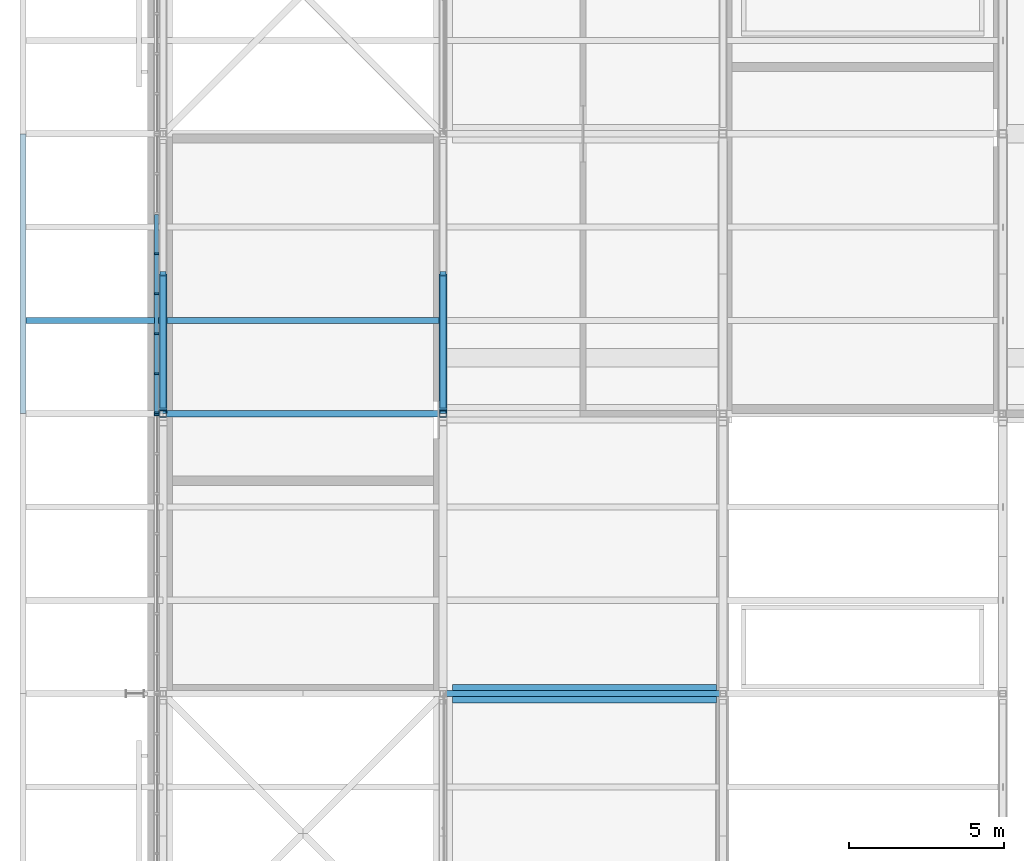
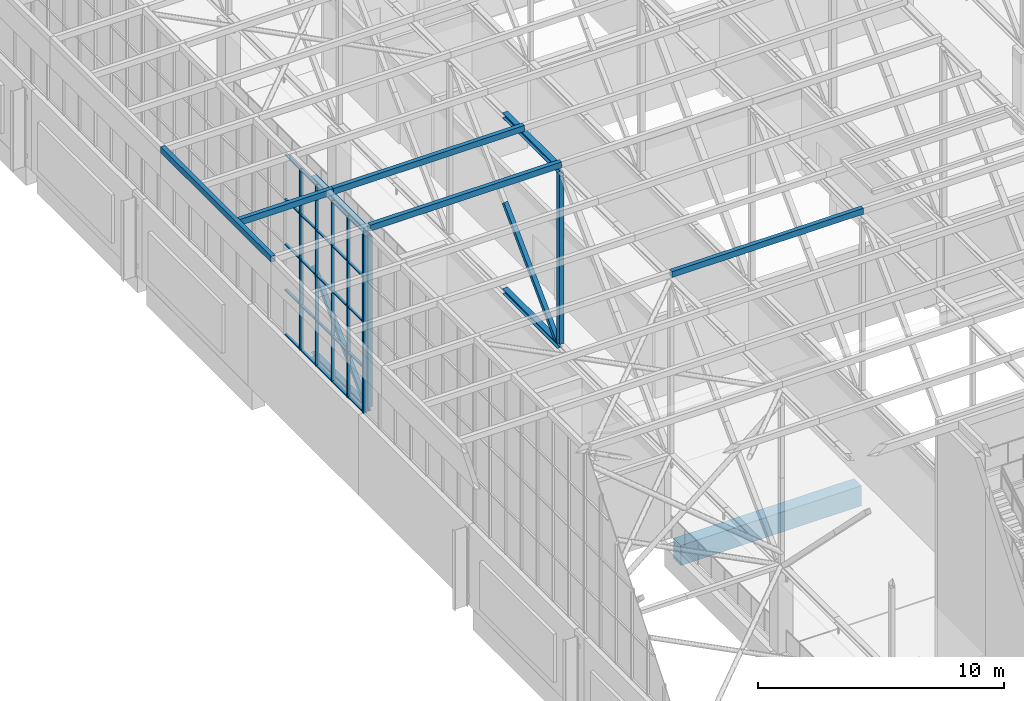
# One storey, part 54 of 646: 46 members, 1 beam, 2 elements without a shape of their own.
"""IFC4 building model written with IfcOpenShell, lengths in metres."""

from ifc_helpers import new_model, si_unit, direction, frame, origin, origin_2d, place, context, subcontext, project, spatial, rectangle, hollow_rectangle, i_section, extrude, material, material_profile, profile_set, type_object, element, aggregate, save


model = new_model("IFC4")

# Units and contexts
model_context = context("Model", 3, precision=1e-05, world=origin(), true_north=direction((0.0, 1.0)))
body_context = subcontext(model_context, "Body", "Model", "MODEL_VIEW")
ifc_project = project(units=[si_unit("LENGTHUNIT", "METRE"), si_unit("AREAUNIT", "SQUARE_METRE"), si_unit("VOLUMEUNIT", "CUBIC_METRE"), si_unit("PLANEANGLEUNIT", "RADIAN"), si_unit("MASSUNIT", "GRAM", prefix="KILO")], contexts=[model_context])

# Site, building, storey
site_placement = place(None, origin())
site = spatial("IfcSite", under=ifc_project, at=site_placement, CompositionType="ELEMENT")
building_placement = place(site_placement, origin())
building = spatial("IfcBuilding", under=site, at=building_placement, Name="Silverbay Arena", CompositionType="ELEMENT")
storey_placement = place(building_placement, frame((0.0, 0.0, 33.5)))
storey = spatial("IfcBuildingStorey", under=building, at=storey_placement, Name="L05", CompositionType="ELEMENT", Elevation=33.5)

# Curtain wall, member
ifc_material_1 = material(Name="Aluminium framed glazing", Category="aluminium")
curtain_wall_type = type_object("IfcCurtainWallType", Name="Curtain wall clerestory 9000 x 9000", PredefinedType="NOTDEFINED", material=ifc_material_1)
curtain_wall_1_placement = place(storey_placement, origin())
curtain_wall_1 = element("IfcCurtainWall", 1, at=curtain_wall_1_placement, inside=storey, type_object=curtain_wall_type, Name="ROOF GABLE CLERESTORY CURTAIN WALL west bay 10", PredefinedType="NOTDEFINED")
ifc_material_2 = material(Name="Aluminium", Category="aluminium")
ifc_material_profile_1 = material_profile(ifc_material_2, rectangle(XDim=0.159912109375, YDim=0.06005859375, at=origin_2d()), Name="Mullion 60 x 160")
ifc_profile_set_1 = profile_set([ifc_material_profile_1], Name="Aluminium")
member_type_1 = type_object("IfcMemberType", Name="Mullion 60 x 160", PredefinedType="MULLION", material=ifc_profile_set_1)
member_1_placement = place(storey_placement, frame((53.7900390625, 98.969970703125, 4.0), z_axis=(0.0, 0.0, 1.0), x_axis=(-1.0, 0.0, 0.0)))
member_1 = element("IfcMember", 2, at=member_1_placement, type_object=member_type_1, Name="CW60 mullion 8", PredefinedType="MULLION", context=body_context, shape_type="SweptSolid", body=[
    extrude(rectangle(XDim=0.159912109375, YDim=0.06005859375, at=origin_2d()), origin(), (0.0, 0.0, 1.0), 9.0),
])
aggregate(curtain_wall_1, [member_1])

# Curtain wall, members
curtain_wall_2_placement = place(storey_placement, origin())
curtain_wall_2 = element("IfcCurtainWall", 3, at=curtain_wall_2_placement, inside=storey, type_object=curtain_wall_type, Name="ROOF GABLE CLERESTORY CURTAIN WALL west bay 11", PredefinedType="NOTDEFINED")
member_2_placement = place(storey_placement, frame((53.7900390625, 99.030029296875, 4.0), z_axis=(0.0, 0.0, 1.0), x_axis=(-1.0, 0.0, 0.0)))
member_2 = element("IfcMember", 4, at=member_2_placement, type_object=member_type_1, Name="CW60 mullion 1", PredefinedType="MULLION", context=body_context, shape_type="SweptSolid", body=[
    extrude(rectangle(XDim=0.159912109375, YDim=0.06005859375, at=origin_2d()), origin(), (0.0, 0.0, 1.0), 9.0),
])
member_3_placement = place(storey_placement, frame((53.7900390625, 100.28564453125, 4.0), z_axis=(0.0, 0.0, 1.0), x_axis=(-1.0, 0.0, 0.0)))
member_3 = element("IfcMember", 5, at=member_3_placement, type_object=member_type_1, Name="CW60 mullion 2", PredefinedType="MULLION", context=body_context, shape_type="SweptSolid", body=[
    extrude(rectangle(XDim=0.159912109375, YDim=0.06005859375, at=origin_2d()), origin(), (0.0, 0.0, 1.0), 9.0),
])
member_4_placement = place(storey_placement, frame((53.7900390625, 101.571533203125, 4.0), z_axis=(0.0, 0.0, 1.0), x_axis=(-1.0, 0.0, 0.0)))
member_4 = element("IfcMember", 6, at=member_4_placement, type_object=member_type_1, Name="CW60 mullion 3", PredefinedType="MULLION", context=body_context, shape_type="SweptSolid", body=[
    extrude(rectangle(XDim=0.159912109375, YDim=0.06005859375, at=origin_2d()), origin(), (0.0, 0.0, 1.0), 9.0),
])
member_5_placement = place(storey_placement, frame((53.7900390625, 102.857177734375, 4.0), z_axis=(0.0, 0.0, 1.0), x_axis=(-1.0, 0.0, 0.0)))
member_5 = element("IfcMember", 7, at=member_5_placement, type_object=member_type_1, Name="CW60 mullion 4", PredefinedType="MULLION", context=body_context, shape_type="SweptSolid", body=[
    extrude(rectangle(XDim=0.159912109375, YDim=0.06005859375, at=origin_2d()), origin(), (0.0, 0.0, 1.0), 9.0),
])
member_6_placement = place(storey_placement, frame((53.7900390625, 104.142822265625, 4.0), z_axis=(0.0, 0.0, 1.0), x_axis=(-1.0, 0.0, 0.0)))
member_6 = element("IfcMember", 8, at=member_6_placement, type_object=member_type_1, Name="CW60 mullion 5", PredefinedType="MULLION", context=body_context, shape_type="SweptSolid", body=[
    extrude(rectangle(XDim=0.159912109375, YDim=0.06005859375, at=origin_2d()), origin(), (0.0, 0.0, 1.0), 9.0),
])

# Members
ifc_material_3 = material(Name="Steel S355", Category="steel")
ifc_material_profile_2 = material_profile(ifc_material_3, hollow_rectangle(XDim=0.199951171875, YDim=0.300048828125, WallThickness=0.00634765625, at=origin_2d()), Name="RHS 300x200x6.3")
ifc_profile_set_2 = profile_set([ifc_material_profile_2], Name="Steel S355")
member_type_2 = type_object("IfcMemberType", Name="Purlin RHS 300x200x6.3", PredefinedType="PURLIN", material=ifc_profile_set_2)
member_7_placement = place(storey_placement, frame((63.0, 90.0, 13.14990234375), z_axis=(1.0, 0.0, 0.0), x_axis=(0.0, 1.0, 0.0)))
element("IfcMember", 9, at=member_7_placement, inside=storey, type_object=member_type_2, Name="ROOF PURLIN 8-9 line 28", PredefinedType="PURLIN", context=body_context, shape_type="SweptSolid", body=[
    extrude(hollow_rectangle(XDim=0.199951171875, YDim=0.300048828125, WallThickness=0.00634765625, at=origin_2d()), origin(), (0.0, 0.0, 1.0), 9.0),
])
ifc_material_4 = material(Name="Steel S355", Category="steel")
ifc_material_profile_3 = material_profile(ifc_material_4, hollow_rectangle(XDim=0.199951171875, YDim=0.300048828125, WallThickness=0.008056640625, at=origin_2d()), Name="RHS 300x200x8")
ifc_profile_set_3 = profile_set([ifc_material_profile_3], Name="Steel S355")
member_type_3 = type_object("IfcMemberType", Name="Purlin RHS 300x200x8", PredefinedType="PURLIN", material=ifc_profile_set_3)
for number, where, z_axis, x_axis, name in (
    (10, (54.0, 99.0, 13.14990234375), (1.0, 0.0, 0.0), (0.0, 1.0, 0.0), "ROOF PURLIN 7-8 line 31"),
    (11, (54.0, 102.0, 13.14990234375), (1.0, 0.0, 0.0), (0.0, 1.0, 0.0), "ROOF PURLIN 7-8 line 32"),
):
    element("IfcMember", number, at=place(storey_placement, frame(where, z_axis=z_axis, x_axis=x_axis)), inside=storey, type_object=member_type_3, Name=name, PredefinedType="PURLIN", context=body_context, shape_type="SweptSolid", body=[
        extrude(hollow_rectangle(XDim=0.199951171875, YDim=0.300048828125, WallThickness=0.008056640625, at=origin_2d()), origin(), (0.0, 0.0, 1.0), 9.0),
    ])
member_8_placement = place(storey_placement, frame((49.60009765625, 102.0, 13.14990234375), z_axis=(1.0, 0.0, 0.0), x_axis=(0.0, 1.0, 0.0)))
element("IfcMember", 12, at=member_8_placement, inside=storey, type_object=member_type_3, Name="ROOF PURLIN west eave line 32", PredefinedType="PURLIN", context=body_context, shape_type="SweptSolid", body=[
    extrude(hollow_rectangle(XDim=0.199951171875, YDim=0.300048828125, WallThickness=0.008056640625, at=origin_2d()), origin(), (0.0, 0.0, 1.0), 4.39990234375),
])
member_9_placement = place(storey_placement, frame((49.5, 99.0, 13.14990234375), z_axis=(0.0, 1.0, 0.0), x_axis=(-1.0, 0.0, 0.0)))
element("IfcMember", 13, at=member_9_placement, inside=storey, type_object=member_type_3, Name="ROOF PURLIN west eave edge 11", PredefinedType="PURLIN", context=body_context, shape_type="SweptSolid", body=[
    extrude(hollow_rectangle(XDim=0.199951171875, YDim=0.300048828125, WallThickness=0.008056640625, at=origin_2d()), origin(), (0.0, 0.0, 1.0), 9.0),
])

# Beam
ifc_material_5 = material(Name="Concrete Grade C45", Category="concrete")
ifc_material_profile_4 = material_profile(ifc_material_5, rectangle(XDim=0.60009765625, YDim=1.0, at=origin_2d()), Name="RC 600x1000")
ifc_profile_set_4 = profile_set([ifc_material_profile_4], Name="Concrete Grade C45")
beam_type = type_object("IfcBeamType", Name="RC beam 600x1000", PredefinedType="BEAM", material=ifc_profile_set_4)
beam_placement = place(storey_placement, frame((63.300048828125, 90.0, -0.800048828125), z_axis=(1.0, 0.0, 0.0), x_axis=(0.0, 1.0, 0.0)))
element("IfcBeam", 14, at=beam_placement, inside=storey, type_object=beam_type, Name="Floor beam L05 037", PredefinedType="BEAM", context=body_context, shape_type="SweptSolid", body=[
    extrude(rectangle(XDim=0.60009765625, YDim=1.0, at=origin_2d()), origin(), (0.0, 0.0, 1.0), 8.5),
])

# Members
ifc_material_6 = material(Name="Steel S355", Category="steel")
ifc_material_profile_5 = material_profile(ifc_material_6, i_section(OverallWidth=0.254638671875, OverallDepth=0.254150390625, WebThickness=0.008544921875, FlangeThickness=0.01416015625, at=origin_2d()), Name="UC 254x254x73")
ifc_profile_set_5 = profile_set([ifc_material_profile_5], Name="Steel S355")
member_type_4 = type_object("IfcMemberType", Name="Short-span bottom chord UC 254x254x73", PredefinedType="CHORD", material=ifc_profile_set_5)
for number, where, z_axis, x_axis, name in (
    (15, (54.0, 99.0, 4.126953125), (0.0, 1.0, 0.0), (-1.0, 0.0, 0.0), "ROOF TRUSS 7 bottom chord 11a"),
    (16, (63.0, 99.0, 4.126953125), (0.0, 1.0, 0.0), (-1.0, 0.0, 0.0), "ROOF TRUSS 8 bottom chord 11a"),
):
    element("IfcMember", number, at=place(storey_placement, frame(where, z_axis=z_axis, x_axis=x_axis)), inside=storey, type_object=member_type_4, Name=name, PredefinedType="CHORD", context=body_context, shape_type="SweptSolid", body=[
        extrude(i_section(OverallWidth=0.254638671875, OverallDepth=0.254150390625, WebThickness=0.008544921875, FlangeThickness=0.01416015625, at=origin_2d()), origin(), (0.0, 0.0, 1.0), 4.5),
    ])
ifc_material_7 = material(Name="Steel S355", Category="steel")
ifc_material_profile_6 = material_profile(ifc_material_7, i_section(OverallWidth=0.254638671875, OverallDepth=0.254150390625, WebThickness=0.008544921875, FlangeThickness=0.01416015625, at=origin_2d()), Name="UC 254x254x73")
ifc_profile_set_6 = profile_set([ifc_material_profile_6], Name="Steel S355")
member_type_5 = type_object("IfcMemberType", Name="Short-span top chord UC 254x254x73", PredefinedType="CHORD", material=ifc_profile_set_6)
for number, where, z_axis, x_axis, name in (
    (17, (54.0, 99.0, 12.873046875), (0.0, 1.0, 0.0), (-1.0, 0.0, 0.0), "ROOF TRUSS 7 top chord 11a"),
    (18, (63.0, 99.0, 12.873046875), (0.0, 1.0, 0.0), (-1.0, 0.0, 0.0), "ROOF TRUSS 8 top chord 11a"),
):
    element("IfcMember", number, at=place(storey_placement, frame(where, z_axis=z_axis, x_axis=x_axis)), inside=storey, type_object=member_type_5, Name=name, PredefinedType="CHORD", context=body_context, shape_type="SweptSolid", body=[
        extrude(i_section(OverallWidth=0.254638671875, OverallDepth=0.254150390625, WebThickness=0.008544921875, FlangeThickness=0.01416015625, at=origin_2d()), origin(), (0.0, 0.0, 1.0), 4.5),
    ])
ifc_material_8 = material(Name="Steel S355", Category="steel")
ifc_material_profile_7 = material_profile(ifc_material_8, hollow_rectangle(XDim=0.199951171875, YDim=0.199951171875, WallThickness=0.008056640625, at=origin_2d()), Name="SHS 200x200x8")
ifc_profile_set_7 = profile_set([ifc_material_profile_7], Name="Steel S355")
member_type_6 = type_object("IfcMemberType", Name="Short-span truss diagonal SHS 200x200x8", PredefinedType="BRACE", material=ifc_profile_set_7)
for number, where, z_axis, x_axis, name in (
    (19, (54.0, 103.5048828125, 8.5), (0.0, -0.707391224876, -0.706822223029), (1.0, 0.0, 0.0), "ROOF TRUSS 7 diagonal 11b"),
    (20, (63.0, 103.5048828125, 8.5), (0.0, -0.707391224876, -0.706822223029), (1.0, 0.0, 0.0), "ROOF TRUSS 8 diagonal 11b"),
):
    element("IfcMember", number, at=place(storey_placement, frame(where, z_axis=z_axis, x_axis=x_axis)), inside=storey, type_object=member_type_6, Name=name, PredefinedType="BRACE", context=body_context, shape_type="SweptSolid", body=[
        extrude(hollow_rectangle(XDim=0.199951171875, YDim=0.199951171875, WallThickness=0.008056640625, at=origin_2d()), origin(), (0.0, 0.0, 1.0), 6.0068359375),
    ])
ifc_material_9 = material(Name="Steel S355", Category="steel")
ifc_material_profile_8 = material_profile(ifc_material_9, hollow_rectangle(XDim=0.219970703125, YDim=0.219970703125, WallThickness=0.008056640625, at=origin_2d()), Name="SHS 220x220x8")
ifc_profile_set_8 = profile_set([ifc_material_profile_8], Name="Steel S355")
member_type_7 = type_object("IfcMemberType", Name="Short-span truss vertical SHS 220x220x8", PredefinedType="STRUT", material=ifc_profile_set_8)
for number, where, z_axis, x_axis, name in (
    (21, (54.0, 99.0, 4.254150390625), (0.0, 0.0, 1.0), (1.0, 0.0, 0.0), "ROOF TRUSS 7 vertical 11a"),
    (22, (54.0, 99.0, 8.5), (0.0, 0.0, 1.0), (1.0, 0.0, 0.0), "ROOF TRUSS 7 vertical 11b"),
    (23, (63.0, 99.0, 4.254150390625), (0.0, 0.0, 1.0), (1.0, 0.0, 0.0), "ROOF TRUSS 8 vertical 11a"),
    (24, (63.0, 99.0, 8.5), (0.0, 0.0, 1.0), (1.0, 0.0, 0.0), "ROOF TRUSS 8 vertical 11b"),
):
    element("IfcMember", number, at=place(storey_placement, frame(where, z_axis=z_axis, x_axis=x_axis)), inside=storey, type_object=member_type_7, Name=name, PredefinedType="STRUT", context=body_context, shape_type="SweptSolid", body=[
        extrude(hollow_rectangle(XDim=0.219970703125, YDim=0.219970703125, WallThickness=0.008056640625, at=origin_2d()), origin(), (0.0, 0.0, 1.0), 4.245849609375),
    ])

# Member
ifc_material_10 = material(Name="Aluminium", Category="aluminium")
ifc_material_profile_9 = material_profile(ifc_material_10, rectangle(XDim=0.1201171875, YDim=0.050048828125, at=origin_2d()), Name="Transom 50 x 120")
ifc_profile_set_9 = profile_set([ifc_material_profile_9], Name="Aluminium")
member_type_8 = type_object("IfcMemberType", Name="Transom 50 x 120", PredefinedType="USERDEFINED", material=ifc_profile_set_9)
member_10_placement = place(storey_placement, frame((53.7900390625, 99.06005859375, 4.02490234375), z_axis=(0.0, 1.0, 0.0), x_axis=(-1.0, 0.0, 0.0)))
member_10 = element("IfcMember", 25, at=member_10_placement, type_object=member_type_8, Name="CW60 transom 1.1", ObjectType="TRANSOM", PredefinedType="USERDEFINED", context=body_context, shape_type="SweptSolid", body=[
    extrude(rectangle(XDim=0.1201171875, YDim=0.050048828125, at=origin_2d()), origin(), (0.0, 0.0, 1.0), 1.195556640625),
])

member_11_placement = place(storey_placement, frame((53.7900390625, 99.06005859375, 6.25), z_axis=(0.0, 1.0, 0.0), x_axis=(-1.0, 0.0, 0.0)))
member_11 = element("IfcMember", 26, at=member_11_placement, type_object=member_type_8, Name="CW60 transom 1.2", ObjectType="TRANSOM", PredefinedType="USERDEFINED", context=body_context, shape_type="SweptSolid", body=[
    extrude(rectangle(XDim=0.1201171875, YDim=0.050048828125, at=origin_2d()), origin(), (0.0, 0.0, 1.0), 1.195556640625),
])

member_12_placement = place(storey_placement, frame((53.7900390625, 99.06005859375, 8.5), z_axis=(0.0, 1.0, 0.0), x_axis=(-1.0, 0.0, 0.0)))
member_12 = element("IfcMember", 27, at=member_12_placement, type_object=member_type_8, Name="CW60 transom 1.3", ObjectType="TRANSOM", PredefinedType="USERDEFINED", context=body_context, shape_type="SweptSolid", body=[
    extrude(rectangle(XDim=0.1201171875, YDim=0.050048828125, at=origin_2d()), origin(), (0.0, 0.0, 1.0), 1.195556640625),
])

member_13_placement = place(storey_placement, frame((53.7900390625, 99.06005859375, 10.75), z_axis=(0.0, 1.0, 0.0), x_axis=(-1.0, 0.0, 0.0)))
member_13 = element("IfcMember", 28, at=member_13_placement, type_object=member_type_8, Name="CW60 transom 1.4", ObjectType="TRANSOM", PredefinedType="USERDEFINED", context=body_context, shape_type="SweptSolid", body=[
    extrude(rectangle(XDim=0.1201171875, YDim=0.050048828125, at=origin_2d()), origin(), (0.0, 0.0, 1.0), 1.195556640625),
])

member_14_placement = place(storey_placement, frame((53.7900390625, 99.06005859375, 12.97509765625), z_axis=(0.0, 1.0, 0.0), x_axis=(-1.0, 0.0, 0.0)))
member_14 = element("IfcMember", 29, at=member_14_placement, type_object=member_type_8, Name="CW60 transom 1.5", ObjectType="TRANSOM", PredefinedType="USERDEFINED", context=body_context, shape_type="SweptSolid", body=[
    extrude(rectangle(XDim=0.1201171875, YDim=0.050048828125, at=origin_2d()), origin(), (0.0, 0.0, 1.0), 1.195556640625),
])

member_15_placement = place(storey_placement, frame((53.7900390625, 100.315673828125, 4.02490234375), z_axis=(0.0, 1.0, 0.0), x_axis=(-1.0, 0.0, 0.0)))
member_15 = element("IfcMember", 30, at=member_15_placement, type_object=member_type_8, Name="CW60 transom 2.1", ObjectType="TRANSOM", PredefinedType="USERDEFINED", context=body_context, shape_type="SweptSolid", body=[
    extrude(rectangle(XDim=0.1201171875, YDim=0.050048828125, at=origin_2d()), origin(), (0.0, 0.0, 1.0), 1.225830078125),
])

member_16_placement = place(storey_placement, frame((53.7900390625, 100.315673828125, 6.25), z_axis=(0.0, 1.0, 0.0), x_axis=(-1.0, 0.0, 0.0)))
member_16 = element("IfcMember", 31, at=member_16_placement, type_object=member_type_8, Name="CW60 transom 2.2", ObjectType="TRANSOM", PredefinedType="USERDEFINED", context=body_context, shape_type="SweptSolid", body=[
    extrude(rectangle(XDim=0.1201171875, YDim=0.050048828125, at=origin_2d()), origin(), (0.0, 0.0, 1.0), 1.225830078125),
])

member_17_placement = place(storey_placement, frame((53.7900390625, 100.315673828125, 8.5), z_axis=(0.0, 1.0, 0.0), x_axis=(-1.0, 0.0, 0.0)))
member_17 = element("IfcMember", 32, at=member_17_placement, type_object=member_type_8, Name="CW60 transom 2.3", ObjectType="TRANSOM", PredefinedType="USERDEFINED", context=body_context, shape_type="SweptSolid", body=[
    extrude(rectangle(XDim=0.1201171875, YDim=0.050048828125, at=origin_2d()), origin(), (0.0, 0.0, 1.0), 1.225830078125),
])

member_18_placement = place(storey_placement, frame((53.7900390625, 100.315673828125, 10.75), z_axis=(0.0, 1.0, 0.0), x_axis=(-1.0, 0.0, 0.0)))
member_18 = element("IfcMember", 33, at=member_18_placement, type_object=member_type_8, Name="CW60 transom 2.4", ObjectType="TRANSOM", PredefinedType="USERDEFINED", context=body_context, shape_type="SweptSolid", body=[
    extrude(rectangle(XDim=0.1201171875, YDim=0.050048828125, at=origin_2d()), origin(), (0.0, 0.0, 1.0), 1.225830078125),
])

member_19_placement = place(storey_placement, frame((53.7900390625, 100.315673828125, 12.97509765625), z_axis=(0.0, 1.0, 0.0), x_axis=(-1.0, 0.0, 0.0)))
member_19 = element("IfcMember", 34, at=member_19_placement, type_object=member_type_8, Name="CW60 transom 2.5", ObjectType="TRANSOM", PredefinedType="USERDEFINED", context=body_context, shape_type="SweptSolid", body=[
    extrude(rectangle(XDim=0.1201171875, YDim=0.050048828125, at=origin_2d()), origin(), (0.0, 0.0, 1.0), 1.225830078125),
])

member_20_placement = place(storey_placement, frame((53.7900390625, 101.601318359375, 4.02490234375), z_axis=(0.0, 1.0, 0.0), x_axis=(-1.0, 0.0, 0.0)))
member_20 = element("IfcMember", 35, at=member_20_placement, type_object=member_type_8, Name="CW60 transom 3.1", ObjectType="TRANSOM", PredefinedType="USERDEFINED", context=body_context, shape_type="SweptSolid", body=[
    extrude(rectangle(XDim=0.1201171875, YDim=0.050048828125, at=origin_2d()), origin(), (0.0, 0.0, 1.0), 1.225830078125),
])

member_21_placement = place(storey_placement, frame((53.7900390625, 101.601318359375, 6.25), z_axis=(0.0, 1.0, 0.0), x_axis=(-1.0, 0.0, 0.0)))
member_21 = element("IfcMember", 36, at=member_21_placement, type_object=member_type_8, Name="CW60 transom 3.2", ObjectType="TRANSOM", PredefinedType="USERDEFINED", context=body_context, shape_type="SweptSolid", body=[
    extrude(rectangle(XDim=0.1201171875, YDim=0.050048828125, at=origin_2d()), origin(), (0.0, 0.0, 1.0), 1.225830078125),
])

member_22_placement = place(storey_placement, frame((53.7900390625, 101.601318359375, 8.5), z_axis=(0.0, 1.0, 0.0), x_axis=(-1.0, 0.0, 0.0)))
member_22 = element("IfcMember", 37, at=member_22_placement, type_object=member_type_8, Name="CW60 transom 3.3", ObjectType="TRANSOM", PredefinedType="USERDEFINED", context=body_context, shape_type="SweptSolid", body=[
    extrude(rectangle(XDim=0.1201171875, YDim=0.050048828125, at=origin_2d()), origin(), (0.0, 0.0, 1.0), 1.225830078125),
])

member_23_placement = place(storey_placement, frame((53.7900390625, 101.601318359375, 10.75), z_axis=(0.0, 1.0, 0.0), x_axis=(-1.0, 0.0, 0.0)))
member_23 = element("IfcMember", 38, at=member_23_placement, type_object=member_type_8, Name="CW60 transom 3.4", ObjectType="TRANSOM", PredefinedType="USERDEFINED", context=body_context, shape_type="SweptSolid", body=[
    extrude(rectangle(XDim=0.1201171875, YDim=0.050048828125, at=origin_2d()), origin(), (0.0, 0.0, 1.0), 1.225830078125),
])

member_24_placement = place(storey_placement, frame((53.7900390625, 101.601318359375, 12.97509765625), z_axis=(0.0, 1.0, 0.0), x_axis=(-1.0, 0.0, 0.0)))
member_24 = element("IfcMember", 39, at=member_24_placement, type_object=member_type_8, Name="CW60 transom 3.5", ObjectType="TRANSOM", PredefinedType="USERDEFINED", context=body_context, shape_type="SweptSolid", body=[
    extrude(rectangle(XDim=0.1201171875, YDim=0.050048828125, at=origin_2d()), origin(), (0.0, 0.0, 1.0), 1.225830078125),
])

member_25_placement = place(storey_placement, frame((53.7900390625, 102.88720703125, 4.02490234375), z_axis=(0.0, 1.0, 0.0), x_axis=(-1.0, 0.0, 0.0)))
member_25 = element("IfcMember", 40, at=member_25_placement, type_object=member_type_8, Name="CW60 transom 4.1", ObjectType="TRANSOM", PredefinedType="USERDEFINED", context=body_context, shape_type="SweptSolid", body=[
    extrude(rectangle(XDim=0.1201171875, YDim=0.050048828125, at=origin_2d()), origin(), (0.0, 0.0, 1.0), 1.2255859375),
])

member_26_placement = place(storey_placement, frame((53.7900390625, 102.88720703125, 6.25), z_axis=(0.0, 1.0, 0.0), x_axis=(-1.0, 0.0, 0.0)))
member_26 = element("IfcMember", 41, at=member_26_placement, type_object=member_type_8, Name="CW60 transom 4.2", ObjectType="TRANSOM", PredefinedType="USERDEFINED", context=body_context, shape_type="SweptSolid", body=[
    extrude(rectangle(XDim=0.1201171875, YDim=0.050048828125, at=origin_2d()), origin(), (0.0, 0.0, 1.0), 1.2255859375),
])

member_27_placement = place(storey_placement, frame((53.7900390625, 102.88720703125, 8.5), z_axis=(0.0, 1.0, 0.0), x_axis=(-1.0, 0.0, 0.0)))
member_27 = element("IfcMember", 42, at=member_27_placement, type_object=member_type_8, Name="CW60 transom 4.3", ObjectType="TRANSOM", PredefinedType="USERDEFINED", context=body_context, shape_type="SweptSolid", body=[
    extrude(rectangle(XDim=0.1201171875, YDim=0.050048828125, at=origin_2d()), origin(), (0.0, 0.0, 1.0), 1.2255859375),
])

member_28_placement = place(storey_placement, frame((53.7900390625, 102.88720703125, 10.75), z_axis=(0.0, 1.0, 0.0), x_axis=(-1.0, 0.0, 0.0)))
member_28 = element("IfcMember", 43, at=member_28_placement, type_object=member_type_8, Name="CW60 transom 4.4", ObjectType="TRANSOM", PredefinedType="USERDEFINED", context=body_context, shape_type="SweptSolid", body=[
    extrude(rectangle(XDim=0.1201171875, YDim=0.050048828125, at=origin_2d()), origin(), (0.0, 0.0, 1.0), 1.2255859375),
])

member_29_placement = place(storey_placement, frame((53.7900390625, 102.88720703125, 12.97509765625), z_axis=(0.0, 1.0, 0.0), x_axis=(-1.0, 0.0, 0.0)))
member_29 = element("IfcMember", 44, at=member_29_placement, type_object=member_type_8, Name="CW60 transom 4.5", ObjectType="TRANSOM", PredefinedType="USERDEFINED", context=body_context, shape_type="SweptSolid", body=[
    extrude(rectangle(XDim=0.1201171875, YDim=0.050048828125, at=origin_2d()), origin(), (0.0, 0.0, 1.0), 1.2255859375),
])

member_30_placement = place(storey_placement, frame((53.7900390625, 104.1728515625, 4.02490234375), z_axis=(0.0, 1.0, 0.0), x_axis=(-1.0, 0.0, 0.0)))
member_30 = element("IfcMember", 45, at=member_30_placement, type_object=member_type_8, Name="CW60 transom 5.1", ObjectType="TRANSOM", PredefinedType="USERDEFINED", context=body_context, shape_type="SweptSolid", body=[
    extrude(rectangle(XDim=0.1201171875, YDim=0.050048828125, at=origin_2d()), origin(), (0.0, 0.0, 1.0), 1.225830078125),
])

member_31_placement = place(storey_placement, frame((53.7900390625, 104.1728515625, 6.25), z_axis=(0.0, 1.0, 0.0), x_axis=(-1.0, 0.0, 0.0)))
member_31 = element("IfcMember", 46, at=member_31_placement, type_object=member_type_8, Name="CW60 transom 5.2", ObjectType="TRANSOM", PredefinedType="USERDEFINED", context=body_context, shape_type="SweptSolid", body=[
    extrude(rectangle(XDim=0.1201171875, YDim=0.050048828125, at=origin_2d()), origin(), (0.0, 0.0, 1.0), 1.225830078125),
])

member_32_placement = place(storey_placement, frame((53.7900390625, 104.1728515625, 8.5), z_axis=(0.0, 1.0, 0.0), x_axis=(-1.0, 0.0, 0.0)))
member_32 = element("IfcMember", 47, at=member_32_placement, type_object=member_type_8, Name="CW60 transom 5.3", ObjectType="TRANSOM", PredefinedType="USERDEFINED", context=body_context, shape_type="SweptSolid", body=[
    extrude(rectangle(XDim=0.1201171875, YDim=0.050048828125, at=origin_2d()), origin(), (0.0, 0.0, 1.0), 1.225830078125),
])

member_33_placement = place(storey_placement, frame((53.7900390625, 104.1728515625, 10.75), z_axis=(0.0, 1.0, 0.0), x_axis=(-1.0, 0.0, 0.0)))
member_33 = element("IfcMember", 48, at=member_33_placement, type_object=member_type_8, Name="CW60 transom 5.4", ObjectType="TRANSOM", PredefinedType="USERDEFINED", context=body_context, shape_type="SweptSolid", body=[
    extrude(rectangle(XDim=0.1201171875, YDim=0.050048828125, at=origin_2d()), origin(), (0.0, 0.0, 1.0), 1.225830078125),
])

member_34_placement = place(storey_placement, frame((53.7900390625, 104.1728515625, 12.97509765625), z_axis=(0.0, 1.0, 0.0), x_axis=(-1.0, 0.0, 0.0)))
member_34 = element("IfcMember", 49, at=member_34_placement, type_object=member_type_8, Name="CW60 transom 5.5", ObjectType="TRANSOM", PredefinedType="USERDEFINED", context=body_context, shape_type="SweptSolid", body=[
    extrude(rectangle(XDim=0.1201171875, YDim=0.050048828125, at=origin_2d()), origin(), (0.0, 0.0, 1.0), 1.225830078125),
])

aggregate(curtain_wall_2, [member_2, member_3, member_4, member_5, member_6, member_10, member_11, member_12, member_13, member_14, member_15, member_16, member_17, member_18, member_19, member_20, member_21, member_22, member_23, member_24, member_25, member_26, member_27, member_28, member_29, member_30, member_31, member_32, member_33, member_34])

save(model, "model.ifc")
